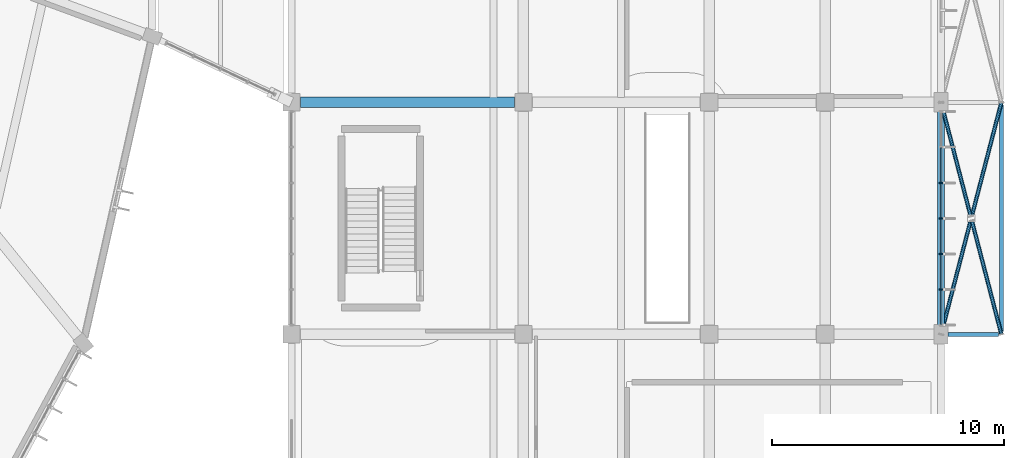
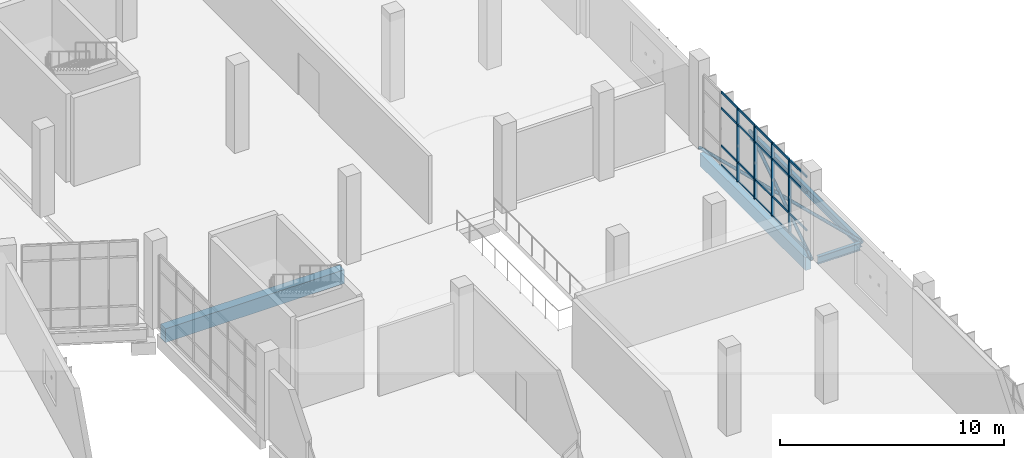
# One storey, part 58 of 179: 27 members, 4 beams, 1 element without a shape of its own.
"""IFC4 building model written with IfcOpenShell, lengths in metres."""

from ifc_helpers import new_model, si_unit, direction, frame, origin, origin_2d, place, context, subcontext, project, spatial, rectangle, hollow_circle, i_section, extrude, material, layer, layer_set, material_profile, profile_set, type_object, element, aggregate, save


model = new_model("IFC4")

# Units and contexts
model_context = context("Model", 3, precision=1e-05, world=origin(), true_north=direction((0.0, 1.0)))
body_context = subcontext(model_context, "Body", "Model", "MODEL_VIEW")
ifc_project = project(units=[si_unit("LENGTHUNIT", "METRE"), si_unit("AREAUNIT", "SQUARE_METRE"), si_unit("VOLUMEUNIT", "CUBIC_METRE"), si_unit("PLANEANGLEUNIT", "RADIAN"), si_unit("MASSUNIT", "GRAM", prefix="KILO")], contexts=[model_context])

# Site, building, storey
site_placement = place(None, origin())
site = spatial("IfcSite", under=ifc_project, at=site_placement, CompositionType="ELEMENT")
building_placement = place(site_placement, origin())
building = spatial("IfcBuilding", under=site, at=building_placement, Name="Corvandel Quay Wholesale Market", CompositionType="ELEMENT")
storey_placement = place(building_placement, frame((0.0, 0.0, 6.0)))
storey = spatial("IfcBuildingStorey", under=building, at=storey_placement, Name="L01", CompositionType="ELEMENT", Elevation=6.0)

# Beams
ifc_material_1 = material(Name="Steel A992 Grade 50", Category="steel")
ifc_material_profile_1 = material_profile(ifc_material_1, i_section(OverallWidth=0.177978515625, OverallDepth=0.406005859375, WebThickness=0.0078125, FlangeThickness=0.0126953125, at=origin_2d()), Name="W16X40")
ifc_profile_set_1 = profile_set([ifc_material_profile_1], Name="Steel A992 Grade 50")
beam_type_1 = type_object("IfcBeamType", Name="Canopy Steel Edge Beam SB01 W16X40", PredefinedType="BEAM", material=ifc_profile_set_1)
beam_1_placement = place(storey_placement, frame((248.294921875, 40.0, -0.403076171875), z_axis=(1.0, 0.0, 0.0), x_axis=(0.0, 1.0, 0.0)))
element("IfcBeam", 1, at=beam_1_placement, inside=storey, type_object=beam_type_1, Name="Beam BM-1754", PredefinedType="BEAM", context=body_context, shape_type="SweptSolid", body=[
    extrude(i_section(OverallWidth=0.177978515625, OverallDepth=0.406005859375, WebThickness=0.0078125, FlangeThickness=0.0126953125, at=origin_2d()), origin(), (0.0, 0.0, 1.0), 2.1826171875),
])
beam_2_placement = place(storey_placement, frame((250.60009765625, 40.12255859375, -0.403076171875), z_axis=(0.0, 1.0, 0.0), x_axis=(-1.0, 0.0, 0.0)))
element("IfcBeam", 2, at=beam_2_placement, inside=storey, type_object=beam_type_1, Name="Beam BM-1758", PredefinedType="BEAM", context=body_context, shape_type="SweptSolid", body=[
    extrude(i_section(OverallWidth=0.177978515625, OverallDepth=0.406005859375, WebThickness=0.0078125, FlangeThickness=0.0126953125, at=origin_2d()), origin(), (0.0, 0.0, 1.0), 9.7548828125),
])

# Curtain wall, members
ifc_material_2 = material(Name="Bronze anodised aluminium and low-E insulated glazing", Category="aluminium")
ifc_layer = layer(ifc_material_2, 0.162109375)
ifc_layer_set = layer_set([ifc_layer], Name="Bronze anodised aluminium and low-E insulated glazing")
curtain_wall_type = type_object("IfcCurtainWallType", Name="Stick Curtain Wall System CW16 H4440", PredefinedType="NOTDEFINED", material=ifc_layer_set)
curtain_wall_placement = place(storey_placement, origin())
curtain_wall = element("IfcCurtainWall", 3, at=curtain_wall_placement, inside=storey, type_object=curtain_wall_type, Name="Curtain Wall CW-0151", PredefinedType="NOTDEFINED")
ifc_material_3 = material(Name="Anodised aluminium 6063-T6", Category="aluminium")
ifc_material_profile_2 = material_profile(ifc_material_3, rectangle(XDim=0.06494140625, YDim=0.14990234375, at=origin_2d()), Name="ALU-MUL-65x150")
ifc_profile_set_2 = profile_set([ifc_material_profile_2], Name="Anodised aluminium 6063-T6")
member_type_1 = type_object("IfcMemberType", Name="Curtain Wall Mullion ML02 65x150", PredefinedType="MULLION", material=ifc_profile_set_2)
member_1_placement = place(storey_placement, frame((248.0, 41.933349609375, 0.0), z_axis=(0.0, 0.0, 1.0), x_axis=(0.0, 1.0, 0.0)))
member_1 = element("IfcMember", 4, at=member_1_placement, type_object=member_type_1, Name="Mullion CW-0151-M01", PredefinedType="MULLION", context=body_context, shape_type="SweptSolid", body=[
    extrude(rectangle(XDim=0.06494140625, YDim=0.14990234375, at=origin_2d()), origin(), (0.0, 0.0, 1.0), 3.949951171875),
])
member_2_placement = place(storey_placement, frame((248.0, 43.466796875, 0.0), z_axis=(0.0, 0.0, 1.0), x_axis=(0.0, 1.0, 0.0)))
member_2 = element("IfcMember", 5, at=member_2_placement, type_object=member_type_1, Name="Mullion CW-0151-M02", PredefinedType="MULLION", context=body_context, shape_type="SweptSolid", body=[
    extrude(rectangle(XDim=0.06494140625, YDim=0.14990234375, at=origin_2d()), origin(), (0.0, 0.0, 1.0), 3.949951171875),
])
member_3_placement = place(storey_placement, frame((248.0, 45.0, 0.0), z_axis=(0.0, 0.0, 1.0), x_axis=(0.0, 1.0, 0.0)))
member_3 = element("IfcMember", 6, at=member_3_placement, type_object=member_type_1, Name="Mullion CW-0151-M03", PredefinedType="MULLION", context=body_context, shape_type="SweptSolid", body=[
    extrude(rectangle(XDim=0.06494140625, YDim=0.14990234375, at=origin_2d()), origin(), (0.0, 0.0, 1.0), 3.949951171875),
])
member_4_placement = place(storey_placement, frame((248.0, 46.533203125, 0.0), z_axis=(0.0, 0.0, 1.0), x_axis=(0.0, 1.0, 0.0)))
member_4 = element("IfcMember", 7, at=member_4_placement, type_object=member_type_1, Name="Mullion CW-0151-M04", PredefinedType="MULLION", context=body_context, shape_type="SweptSolid", body=[
    extrude(rectangle(XDim=0.06494140625, YDim=0.14990234375, at=origin_2d()), origin(), (0.0, 0.0, 1.0), 3.949951171875),
])
ifc_material_profile_3 = material_profile(ifc_material_3, rectangle(XDim=0.06005859375, YDim=0.110107421875, at=origin_2d()), Name="ALU-TRN-60x110")
ifc_profile_set_3 = profile_set([ifc_material_profile_3], Name="Anodised aluminium 6063-T6")
member_type_2 = type_object("IfcMemberType", Name="Curtain Wall Transom TR02 60x110", PredefinedType="USERDEFINED", material=ifc_profile_set_3)
member_5_placement = place(storey_placement, frame((248.0, 40.4326171875, 0.0), z_axis=(0.0, 1.0, 0.0), x_axis=(-1.0, 0.0, 0.0)))
member_5 = element("IfcMember", 8, at=member_5_placement, type_object=member_type_2, Name="Transom CW-0151-T00-0", ObjectType="TRANSOM", PredefinedType="USERDEFINED", context=body_context, shape_type="SweptSolid", body=[
    extrude(rectangle(XDim=0.06005859375, YDim=0.110107421875, at=origin_2d()), origin(), (0.0, 0.0, 1.0), 1.46826171875),
])
member_6_placement = place(storey_placement, frame((248.0, 40.4326171875, 1.050048828125), z_axis=(0.0, 1.0, 0.0), x_axis=(-1.0, 0.0, 0.0)))
member_6 = element("IfcMember", 9, at=member_6_placement, type_object=member_type_2, Name="Transom CW-0151-T00-1", ObjectType="TRANSOM", PredefinedType="USERDEFINED", context=body_context, shape_type="SweptSolid", body=[
    extrude(rectangle(XDim=0.06005859375, YDim=0.110107421875, at=origin_2d()), origin(), (0.0, 0.0, 1.0), 1.46826171875),
])
member_7_placement = place(storey_placement, frame((248.0, 40.4326171875, 3.10009765625), z_axis=(0.0, 1.0, 0.0), x_axis=(-1.0, 0.0, 0.0)))
member_7 = element("IfcMember", 10, at=member_7_placement, type_object=member_type_2, Name="Transom CW-0151-T00-2", ObjectType="TRANSOM", PredefinedType="USERDEFINED", context=body_context, shape_type="SweptSolid", body=[
    extrude(rectangle(XDim=0.06005859375, YDim=0.110107421875, at=origin_2d()), origin(), (0.0, 0.0, 1.0), 1.46826171875),
])
member_8_placement = place(storey_placement, frame((248.0, 40.4326171875, 3.949951171875), z_axis=(0.0, 1.0, 0.0), x_axis=(-1.0, 0.0, 0.0)))
member_8 = element("IfcMember", 11, at=member_8_placement, type_object=member_type_2, Name="Transom CW-0151-T00-3", ObjectType="TRANSOM", PredefinedType="USERDEFINED", context=body_context, shape_type="SweptSolid", body=[
    extrude(rectangle(XDim=0.06005859375, YDim=0.110107421875, at=origin_2d()), origin(), (0.0, 0.0, 1.0), 1.46826171875),
])
member_9_placement = place(storey_placement, frame((248.0, 41.9658203125, 0.0), z_axis=(0.0, 1.0, 0.0), x_axis=(-1.0, 0.0, 0.0)))
member_9 = element("IfcMember", 12, at=member_9_placement, type_object=member_type_2, Name="Transom CW-0151-T01-0", ObjectType="TRANSOM", PredefinedType="USERDEFINED", context=body_context, shape_type="SweptSolid", body=[
    extrude(rectangle(XDim=0.06005859375, YDim=0.110107421875, at=origin_2d()), origin(), (0.0, 0.0, 1.0), 1.46826171875),
])
member_10_placement = place(storey_placement, frame((248.0, 41.9658203125, 1.050048828125), z_axis=(0.0, 1.0, 0.0), x_axis=(-1.0, 0.0, 0.0)))
member_10 = element("IfcMember", 13, at=member_10_placement, type_object=member_type_2, Name="Transom CW-0151-T01-1", ObjectType="TRANSOM", PredefinedType="USERDEFINED", context=body_context, shape_type="SweptSolid", body=[
    extrude(rectangle(XDim=0.06005859375, YDim=0.110107421875, at=origin_2d()), origin(), (0.0, 0.0, 1.0), 1.46826171875),
])
member_11_placement = place(storey_placement, frame((248.0, 41.9658203125, 3.10009765625), z_axis=(0.0, 1.0, 0.0), x_axis=(-1.0, 0.0, 0.0)))
member_11 = element("IfcMember", 14, at=member_11_placement, type_object=member_type_2, Name="Transom CW-0151-T01-2", ObjectType="TRANSOM", PredefinedType="USERDEFINED", context=body_context, shape_type="SweptSolid", body=[
    extrude(rectangle(XDim=0.06005859375, YDim=0.110107421875, at=origin_2d()), origin(), (0.0, 0.0, 1.0), 1.46826171875),
])
member_12_placement = place(storey_placement, frame((248.0, 41.9658203125, 3.949951171875), z_axis=(0.0, 1.0, 0.0), x_axis=(-1.0, 0.0, 0.0)))
member_12 = element("IfcMember", 15, at=member_12_placement, type_object=member_type_2, Name="Transom CW-0151-T01-3", ObjectType="TRANSOM", PredefinedType="USERDEFINED", context=body_context, shape_type="SweptSolid", body=[
    extrude(rectangle(XDim=0.06005859375, YDim=0.110107421875, at=origin_2d()), origin(), (0.0, 0.0, 1.0), 1.46826171875),
])
member_13_placement = place(storey_placement, frame((248.0, 43.499267578125, 0.0), z_axis=(0.0, 1.0, 0.0), x_axis=(-1.0, 0.0, 0.0)))
member_13 = element("IfcMember", 16, at=member_13_placement, type_object=member_type_2, Name="Transom CW-0151-T02-0", ObjectType="TRANSOM", PredefinedType="USERDEFINED", context=body_context, shape_type="SweptSolid", body=[
    extrude(rectangle(XDim=0.06005859375, YDim=0.110107421875, at=origin_2d()), origin(), (0.0, 0.0, 1.0), 1.46826171875),
])
member_14_placement = place(storey_placement, frame((248.0, 43.499267578125, 1.050048828125), z_axis=(0.0, 1.0, 0.0), x_axis=(-1.0, 0.0, 0.0)))
member_14 = element("IfcMember", 17, at=member_14_placement, type_object=member_type_2, Name="Transom CW-0151-T02-1", ObjectType="TRANSOM", PredefinedType="USERDEFINED", context=body_context, shape_type="SweptSolid", body=[
    extrude(rectangle(XDim=0.06005859375, YDim=0.110107421875, at=origin_2d()), origin(), (0.0, 0.0, 1.0), 1.46826171875),
])
member_15_placement = place(storey_placement, frame((248.0, 43.499267578125, 3.10009765625), z_axis=(0.0, 1.0, 0.0), x_axis=(-1.0, 0.0, 0.0)))
member_15 = element("IfcMember", 18, at=member_15_placement, type_object=member_type_2, Name="Transom CW-0151-T02-2", ObjectType="TRANSOM", PredefinedType="USERDEFINED", context=body_context, shape_type="SweptSolid", body=[
    extrude(rectangle(XDim=0.06005859375, YDim=0.110107421875, at=origin_2d()), origin(), (0.0, 0.0, 1.0), 1.46826171875),
])
member_16_placement = place(storey_placement, frame((248.0, 43.499267578125, 3.949951171875), z_axis=(0.0, 1.0, 0.0), x_axis=(-1.0, 0.0, 0.0)))
member_16 = element("IfcMember", 19, at=member_16_placement, type_object=member_type_2, Name="Transom CW-0151-T02-3", ObjectType="TRANSOM", PredefinedType="USERDEFINED", context=body_context, shape_type="SweptSolid", body=[
    extrude(rectangle(XDim=0.06005859375, YDim=0.110107421875, at=origin_2d()), origin(), (0.0, 0.0, 1.0), 1.46826171875),
])
member_17_placement = place(storey_placement, frame((248.0, 45.032470703125, 0.0), z_axis=(0.0, 1.0, 0.0), x_axis=(-1.0, 0.0, 0.0)))
member_17 = element("IfcMember", 20, at=member_17_placement, type_object=member_type_2, Name="Transom CW-0151-T03-0", ObjectType="TRANSOM", PredefinedType="USERDEFINED", context=body_context, shape_type="SweptSolid", body=[
    extrude(rectangle(XDim=0.06005859375, YDim=0.110107421875, at=origin_2d()), origin(), (0.0, 0.0, 1.0), 1.46826171875),
])
member_18_placement = place(storey_placement, frame((248.0, 45.032470703125, 1.050048828125), z_axis=(0.0, 1.0, 0.0), x_axis=(-1.0, 0.0, 0.0)))
member_18 = element("IfcMember", 21, at=member_18_placement, type_object=member_type_2, Name="Transom CW-0151-T03-1", ObjectType="TRANSOM", PredefinedType="USERDEFINED", context=body_context, shape_type="SweptSolid", body=[
    extrude(rectangle(XDim=0.06005859375, YDim=0.110107421875, at=origin_2d()), origin(), (0.0, 0.0, 1.0), 1.46826171875),
])
member_19_placement = place(storey_placement, frame((248.0, 45.032470703125, 3.10009765625), z_axis=(0.0, 1.0, 0.0), x_axis=(-1.0, 0.0, 0.0)))
member_19 = element("IfcMember", 22, at=member_19_placement, type_object=member_type_2, Name="Transom CW-0151-T03-2", ObjectType="TRANSOM", PredefinedType="USERDEFINED", context=body_context, shape_type="SweptSolid", body=[
    extrude(rectangle(XDim=0.06005859375, YDim=0.110107421875, at=origin_2d()), origin(), (0.0, 0.0, 1.0), 1.46826171875),
])
member_20_placement = place(storey_placement, frame((248.0, 45.032470703125, 3.949951171875), z_axis=(0.0, 1.0, 0.0), x_axis=(-1.0, 0.0, 0.0)))
member_20 = element("IfcMember", 23, at=member_20_placement, type_object=member_type_2, Name="Transom CW-0151-T03-3", ObjectType="TRANSOM", PredefinedType="USERDEFINED", context=body_context, shape_type="SweptSolid", body=[
    extrude(rectangle(XDim=0.06005859375, YDim=0.110107421875, at=origin_2d()), origin(), (0.0, 0.0, 1.0), 1.46826171875),
])
member_21_placement = place(storey_placement, frame((248.0, 46.56591796875, 0.0), z_axis=(0.0, 1.0, 0.0), x_axis=(-1.0, 0.0, 0.0)))
member_21 = element("IfcMember", 24, at=member_21_placement, type_object=member_type_2, Name="Transom CW-0151-T04-0", ObjectType="TRANSOM", PredefinedType="USERDEFINED", context=body_context, shape_type="SweptSolid", body=[
    extrude(rectangle(XDim=0.06005859375, YDim=0.110107421875, at=origin_2d()), origin(), (0.0, 0.0, 1.0), 1.46826171875),
])
member_22_placement = place(storey_placement, frame((248.0, 46.56591796875, 1.050048828125), z_axis=(0.0, 1.0, 0.0), x_axis=(-1.0, 0.0, 0.0)))
member_22 = element("IfcMember", 25, at=member_22_placement, type_object=member_type_2, Name="Transom CW-0151-T04-1", ObjectType="TRANSOM", PredefinedType="USERDEFINED", context=body_context, shape_type="SweptSolid", body=[
    extrude(rectangle(XDim=0.06005859375, YDim=0.110107421875, at=origin_2d()), origin(), (0.0, 0.0, 1.0), 1.46826171875),
])
member_23_placement = place(storey_placement, frame((248.0, 46.56591796875, 3.10009765625), z_axis=(0.0, 1.0, 0.0), x_axis=(-1.0, 0.0, 0.0)))
member_23 = element("IfcMember", 26, at=member_23_placement, type_object=member_type_2, Name="Transom CW-0151-T04-2", ObjectType="TRANSOM", PredefinedType="USERDEFINED", context=body_context, shape_type="SweptSolid", body=[
    extrude(rectangle(XDim=0.06005859375, YDim=0.110107421875, at=origin_2d()), origin(), (0.0, 0.0, 1.0), 1.46826171875),
])
member_24_placement = place(storey_placement, frame((248.0, 46.56591796875, 3.949951171875), z_axis=(0.0, 1.0, 0.0), x_axis=(-1.0, 0.0, 0.0)))
member_24 = element("IfcMember", 27, at=member_24_placement, type_object=member_type_2, Name="Transom CW-0151-T04-3", ObjectType="TRANSOM", PredefinedType="USERDEFINED", context=body_context, shape_type="SweptSolid", body=[
    extrude(rectangle(XDim=0.06005859375, YDim=0.110107421875, at=origin_2d()), origin(), (0.0, 0.0, 1.0), 1.46826171875),
])
aggregate(curtain_wall, [member_1, member_2, member_3, member_4, member_5, member_6, member_7, member_8, member_9, member_10, member_11, member_12, member_13, member_14, member_15, member_16, member_17, member_18, member_19, member_20, member_21, member_22, member_23, member_24])

# Members
ifc_material_4 = material(Name="Steel A500 Grade C", Category="steel")
ifc_material_profile_4 = material_profile(ifc_material_4, hollow_circle(Radius=0.083984375, WallThickness=0.00732421875, at=origin_2d()), Name="HSS6.625X0.312")
ifc_profile_set_4 = profile_set([ifc_material_profile_4], Name="Steel A500 Grade C")
member_type_3 = type_object("IfcMemberType", Name="Roof Diaphragm Wind Brace BR06 CHS168", PredefinedType="BRACE", material=ifc_profile_set_4)
member_25_placement = place(storey_placement, frame((248.0, 40.0, -0.25), z_axis=(0.251642704667, 0.967820204991, 0.0), x_axis=(-0.967820204991, 0.251642704667, 0.0)))
element("IfcMember", 28, at=member_25_placement, inside=storey, type_object=member_type_3, Name="Member MEM-0121", PredefinedType="BRACE", context=body_context, shape_type="SweptSolid", body=[
    extrude(hollow_circle(Radius=0.083984375, WallThickness=0.00732421875, at=origin_2d()), origin(), (0.0, 0.0, 1.0), 10.33251953125),
])
for number, where, z_axis, x_axis, name in (
    (29, (250.60009765625, 40.0, -0.25), (-0.251632048062, 0.967822975749, 0.0), (-0.967822975749, -0.251632048062, 0.0), "Member MEM-0122"),
    (30, (249.276123046875, 45.091796875, -0.25), (-0.251632048062, 0.967822975749, 0.0), (-0.967822975749, -0.251632048062, 0.0), "Member MEM-0122B"),
):
    element("IfcMember", number, at=place(storey_placement, frame(where, z_axis=z_axis, x_axis=x_axis)), inside=storey, type_object=member_type_3, Name=name, PredefinedType="BRACE", context=body_context, shape_type="SweptSolid", body=[
        extrude(hollow_circle(Radius=0.083984375, WallThickness=0.00732421875, at=origin_2d()), origin(), (0.0, 0.0, 1.0), 5.0712890625),
    ])

# Beams
ifc_material_5 = material(Name="Precast concrete C45/55", Category="concrete")
ifc_material_profile_5 = material_profile(ifc_material_5, rectangle(XDim=0.300048828125, YDim=0.699951171875, at=origin_2d()), Name="PC-SPN-300x700")
ifc_profile_set_5 = profile_set([ifc_material_profile_5], Name="Precast concrete C45/55")
beam_type_2 = type_object("IfcBeamType", Name="Terrace Edge Spandrel SP03 300x700", PredefinedType="SPANDREL", material=ifc_profile_set_5)
beam_3_placement = place(storey_placement, frame((248.0, 40.294921875, -0.669921875), z_axis=(0.0, 1.0, 0.0), x_axis=(-1.0, 0.0, 0.0)))
element("IfcBeam", 31, at=beam_3_placement, inside=storey, type_object=beam_type_2, Name="Beam BM-1482", PredefinedType="SPANDREL", context=body_context, shape_type="SweptSolid", body=[
    extrude(rectangle(XDim=0.300048828125, YDim=0.699951171875, at=origin_2d()), origin(), (0.0, 0.0, 1.0), 9.41015625),
])
ifc_material_profile_6 = material_profile(ifc_material_5, rectangle(XDim=0.449951171875, YDim=0.75, at=origin_2d()), Name="PC-GIR-450x750")
ifc_profile_set_6 = profile_set([ifc_material_profile_6], Name="Precast concrete C45/55")
beam_type_3 = type_object("IfcBeamType", Name="Waterfront Office Girder G06 450x750", PredefinedType="USERDEFINED", material=ifc_profile_set_6)
beam_4_placement = place(storey_placement, frame((220.39501953125, 50.0, -0.695068359375), z_axis=(1.0, 0.0, 0.0), x_axis=(0.0, 1.0, 0.0)))
element("IfcBeam", 32, at=beam_4_placement, inside=storey, type_object=beam_type_3, Name="Beam BM-1411", ObjectType="GIRDER", PredefinedType="USERDEFINED", context=body_context, shape_type="SweptSolid", body=[
    extrude(rectangle(XDim=0.449951171875, YDim=0.75, at=origin_2d()), origin(), (0.0, 0.0, 1.0), 9.2099609375),
])

save(model, "model.ifc")
